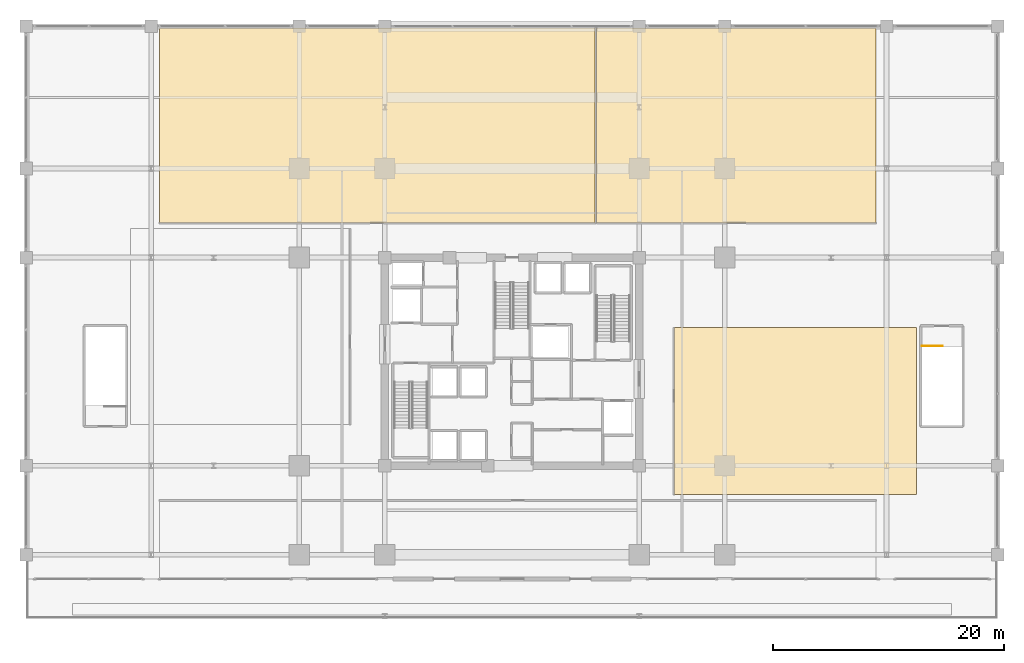
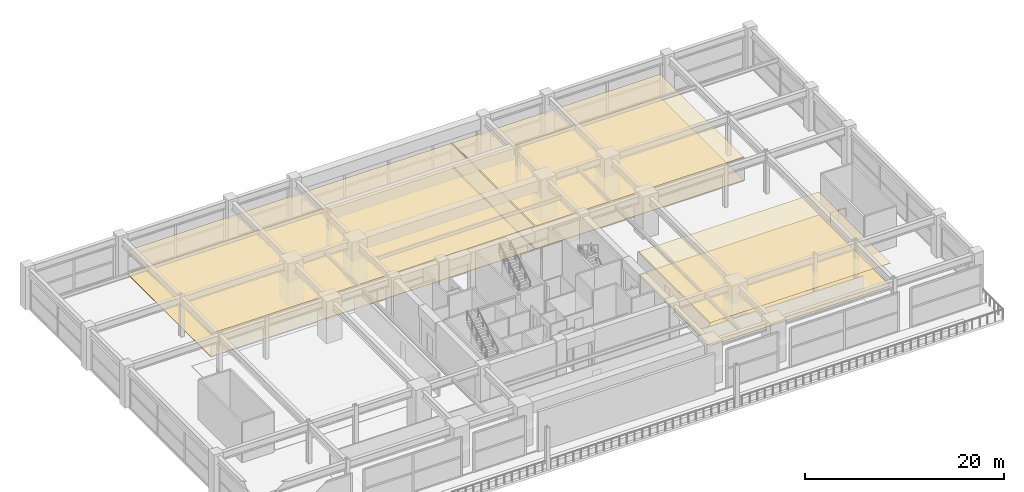
# One storey, part 35 of 35: 6 coverings, 1 railing.
"""IFC4 building model written with IfcOpenShell, lengths in metres."""

from ifc_helpers import new_model, si_unit, direction, frame, origin, origin_2d, place, context, subcontext, project, spatial, polyline, circle, outline, extrude, material, layer, layer_set, type_object, element, save


model = new_model("IFC4")

# Units and contexts
model_context = context("Model", 3, precision=1e-05, world=origin(), true_north=direction((0.0, 1.0)))
body_context = subcontext(model_context, "Body", "Model", "MODEL_VIEW")
ifc_project = project(units=[si_unit("LENGTHUNIT", "METRE"), si_unit("AREAUNIT", "SQUARE_METRE"), si_unit("VOLUMEUNIT", "CUBIC_METRE"), si_unit("PLANEANGLEUNIT", "RADIAN"), si_unit("MASSUNIT", "GRAM", prefix="KILO")], contexts=[model_context])

# Site, building, storey
site_placement = place(None, origin())
site = spatial("IfcSite", under=ifc_project, at=site_placement, CompositionType="ELEMENT")
building_placement = place(site_placement, origin())
building = spatial("IfcBuilding", under=site, at=building_placement, Name="Kovane Verandah Tower", CompositionType="ELEMENT")
storey_placement = place(building_placement, frame((0.0, 0.0, 16.39990234375)))
storey = spatial("IfcBuildingStorey", under=building, at=storey_placement, Name="L03", CompositionType="ELEMENT", Elevation=16.39990234375)

# Coverings
ifc_material_1 = material(Name="Perforated Acoustic Mineral-Fibre Ceiling Tile", Category="gypsum")
ifc_layer_1 = layer(ifc_material_1, 0.02490234375)
ifc_layer_set_1 = layer_set([ifc_layer_1], Name="Perforated Acoustic Mineral-Fibre Ceiling Tile")
covering_type_1 = type_object("IfcCoveringType", Name="CV-CEIL-25", PredefinedType="CEILING", material=ifc_layer_set_1)
covering_1_placement = place(storey_placement, frame((0.0, 0.0, 2.8251953125)))
element("IfcCovering", 1, at=covering_1_placement, inside=storey, type_object=covering_type_1, Name="L03 North Conference Centre Acoustic Ceiling", PredefinedType="CEILING", context=body_context, shape_type="SweptSolid", body=[
    extrude(outline(polyline([(9.5, 39.5), (47.179931640625, 39.5), (47.179931640625, 56.35009765625), (9.5, 56.35009765625), (9.5, 39.5)])), origin(), (0.0, 0.0, 1.0), 0.02490234375),
])
covering_2_placement = place(storey_placement, frame((0.0, 0.0, 2.8251953125)))
element("IfcCovering", 2, at=covering_2_placement, inside=storey, type_object=covering_type_1, Name="L03 Executive Seminar Auditorium Acoustic Ceiling", PredefinedType="CEILING", context=body_context, shape_type="SweptSolid", body=[
    extrude(outline(polyline([(47.320068359375, 39.5), (71.5, 39.5), (71.5, 56.35009765625), (47.320068359375, 56.35009765625), (47.320068359375, 39.5)])), origin(), (0.0, 0.0, 1.0), 0.02490234375),
])
covering_3_placement = place(storey_placement, frame((0.0, 0.0, 2.8251953125)))
element("IfcCovering", 3, at=covering_3_placement, inside=storey, type_object=covering_type_1, Name="L03 East Tenant Business Lounge Acoustic Ceiling", PredefinedType="CEILING", context=body_context, shape_type="SweptSolid", body=[
    extrude(outline(polyline([(54.0, 16.0), (75.0, 16.0), (75.0, 30.449951171875), (54.0, 30.449951171875), (54.0, 16.0)])), origin(), (0.0, 0.0, 1.0), 0.02490234375),
])
ifc_material_2 = material(Name="Polished Terrazzo and Raised-Access Carpet Tile Finish", Category="concrete")
ifc_layer_2 = layer(ifc_material_2, 0.030029296875)
ifc_layer_set_2 = layer_set([ifc_layer_2], Name="Polished Terrazzo and Raised-Access Carpet Tile Finish")
covering_type_2 = type_object("IfcCoveringType", Name="CV-FLOR-30", PredefinedType="FLOORING", material=ifc_layer_set_2)
covering_4_placement = place(storey_placement, origin())
element("IfcCovering", 4, at=covering_4_placement, inside=storey, type_object=covering_type_2, Name="L03 North Conference Centre Floor Finish", PredefinedType="FLOORING", context=body_context, shape_type="SweptSolid", body=[
    extrude(outline(polyline([(9.5, 39.5), (47.179931640625, 39.5), (47.179931640625, 56.35009765625), (9.5, 56.35009765625), (9.5, 39.5)])), origin(), (0.0, 0.0, 1.0), 0.030029296875),
])
covering_5_placement = place(storey_placement, origin())
element("IfcCovering", 5, at=covering_5_placement, inside=storey, type_object=covering_type_2, Name="L03 Executive Seminar Auditorium Floor Finish", PredefinedType="FLOORING", context=body_context, shape_type="SweptSolid", body=[
    extrude(outline(polyline([(47.320068359375, 39.5), (71.5, 39.5), (71.5, 56.35009765625), (47.320068359375, 56.35009765625), (47.320068359375, 39.5)])), origin(), (0.0, 0.0, 1.0), 0.030029296875),
])
covering_6_placement = place(storey_placement, origin())
element("IfcCovering", 6, at=covering_6_placement, inside=storey, type_object=covering_type_2, Name="L03 East Tenant Business Lounge Floor Finish", PredefinedType="FLOORING", context=body_context, shape_type="SweptSolid", body=[
    extrude(outline(polyline([(54.0, 16.0), (75.0, 16.0), (75.0, 30.449951171875), (54.0, 30.449951171875), (54.0, 16.0)])), origin(), (0.0, 0.0, 1.0), 0.030029296875),
])

# Railing
ifc_material_3 = material(Name="Painted Steel Stairwell Guardrail", Category="steel")
railing_type = type_object("IfcRailingType", Name="RL-STGUARD-1120", PredefinedType="GUARDRAIL", material=ifc_material_3)
railing_placement = place(storey_placement, frame((75.43994140625, 28.8701171875, 0.0)))
element("IfcRailing", 7, at=railing_placement, inside=storey, type_object=railing_type, Name="L03 ST-05 top well guard 1", PredefinedType="GUARDRAIL", context=body_context, shape_type="SweptSolid", body=[
    extrude(circle(Radius=0.02392578125, at=origin_2d()), frame((0.0, 0.0, 1.076171875), z_axis=(1.0, 0.0, 0.0), x_axis=(0.0, 1.0, 0.0)), (0.0, 0.0, 1.0), 1.81005859375),
    extrude(circle(Radius=0.02099609375, at=origin_2d()), origin(), (0.0, 0.0, 1.0), 1.052001953125),
    extrude(circle(Radius=0.02099609375, at=origin_2d()), frame((0.905029296875, 0.0, 0.0)), (0.0, 0.0, 1.0), 1.052001953125),
    extrude(circle(Radius=0.02099609375, at=origin_2d()), frame((1.81005859375, 0.0, 0.0)), (0.0, 0.0, 1.0), 1.052001953125),
])

save(model, "model.ifc")
